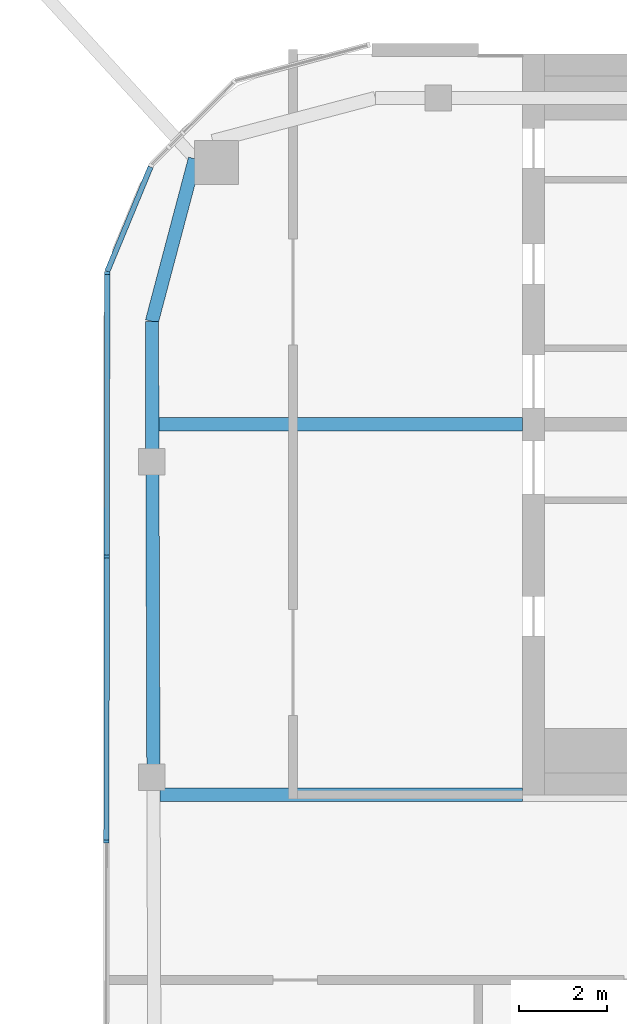
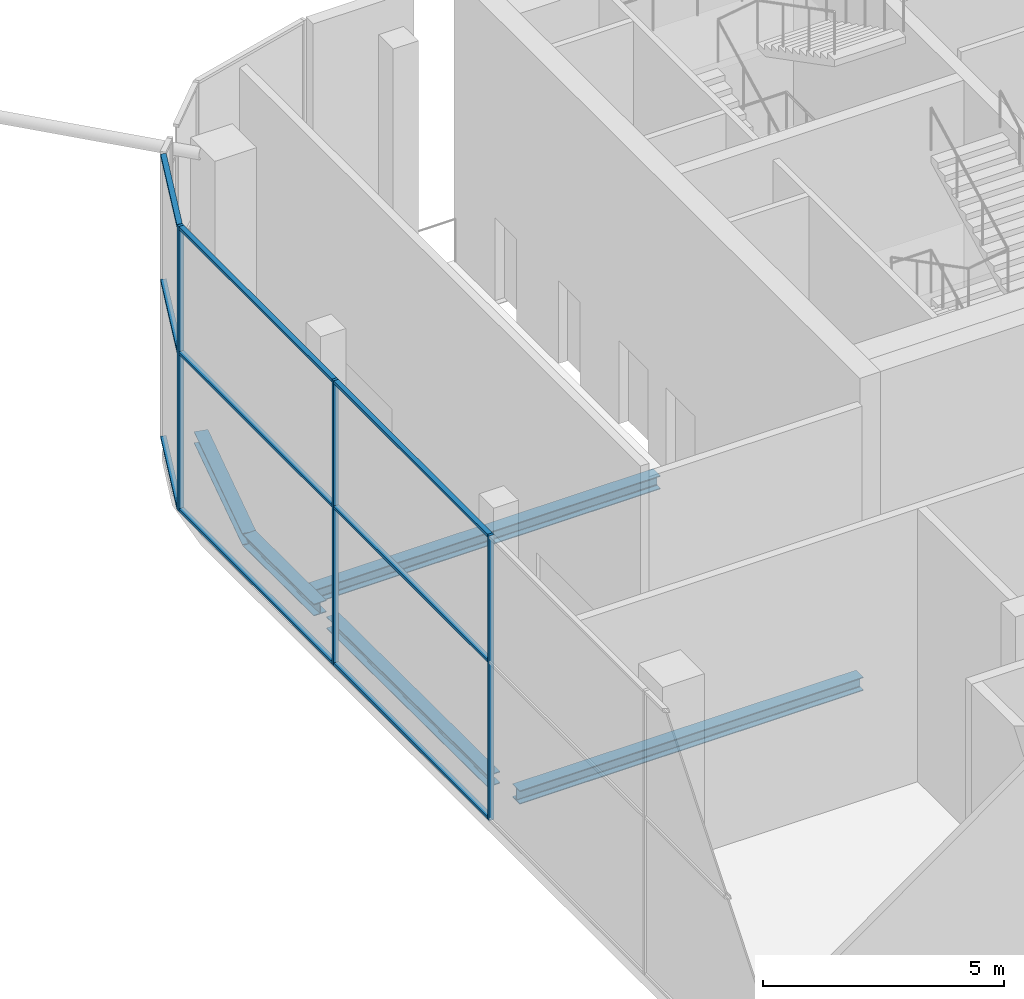
# One storey, part 8 of 23: 12 members, 5 beams, 2 elements without a shape of their own.
"""IFC4 building model written with IfcOpenShell, lengths in metres."""

from ifc_helpers import new_model, si_unit, direction, frame, origin, origin_2d, place, context, subcontext, project, spatial, rectangle, i_section, extrude, material, layer, layer_set, material_profile, profile_set, type_object, element, aggregate, save


model = new_model("IFC4")

# Units and contexts
model_context = context("Model", 3, precision=1e-05, world=origin(), true_north=direction((0.0, 1.0)))
body_context = subcontext(model_context, "Body", "Model", "MODEL_VIEW")
ifc_project = project(units=[si_unit("LENGTHUNIT", "METRE"), si_unit("AREAUNIT", "SQUARE_METRE"), si_unit("VOLUMEUNIT", "CUBIC_METRE"), si_unit("PLANEANGLEUNIT", "RADIAN"), si_unit("MASSUNIT", "GRAM", prefix="KILO")], contexts=[model_context])

# Site, building, storey
site_placement = place(None, origin())
site = spatial("IfcSite", under=ifc_project, at=site_placement, CompositionType="ELEMENT")
building_placement = place(site_placement, origin())
building = spatial("IfcBuilding", under=site, at=building_placement, Name="Marenta Gate Hotel Tower", CompositionType="ELEMENT")
storey_placement = place(building_placement, frame((0.0, 0.0, 288.5)))
storey = spatial("IfcBuildingStorey", under=building, at=storey_placement, Name="L66", CompositionType="ELEMENT", Elevation=288.5)

# Beams
ifc_material_1 = material(Name="Steel S355", Category="steel")
ifc_material_profile_1 = material_profile(ifc_material_1, i_section(OverallWidth=0.300048828125, OverallDepth=0.300048828125, WebThickness=0.010986328125, FlangeThickness=0.01904296875, FilletRadius=0.027099609375, at=origin_2d()), Name="HEB 300")
ifc_profile_set_1 = profile_set([ifc_material_profile_1], Name="Steel S355")
beam_type_1 = type_object("IfcBeamType", Name="Edge beam HEB 300", PredefinedType="SPANDREL", material=ifc_profile_set_1)
beam_1_placement = place(storey_placement, frame((-19.966552734375, 0.6630859375, -0.409912109375), z_axis=(-0.003312458824, 0.999994513793, 0.0), x_axis=(-0.999994513793, -0.003312458824, 0.0)))
element("IfcBeam", 1, at=beam_1_placement, inside=storey, type_object=beam_type_1, Name="L66-EB-9", PredefinedType="SPANDREL", context=body_context, shape_type="SweptSolid", body=[
    extrude(i_section(OverallWidth=0.300048828125, OverallDepth=0.300048828125, WebThickness=0.010986328125, FlangeThickness=0.01904296875, FilletRadius=0.027099609375, at=origin_2d()), origin(), (0.0, 0.0, 1.0), 6.63330078125),
])
beam_2_placement = place(storey_placement, frame((-19.990234375, 7.81640625, -0.409912109375), z_axis=(-0.003346701472, 0.999994399779, 0.0), x_axis=(-0.999994399779, -0.003346701472, 0.0)))
element("IfcBeam", 2, at=beam_2_placement, inside=storey, type_object=beam_type_1, Name="L66-EB-10", PredefinedType="SPANDREL", context=body_context, shape_type="SweptSolid", body=[
    extrude(i_section(OverallWidth=0.300048828125, OverallDepth=0.300048828125, WebThickness=0.010986328125, FlangeThickness=0.01904296875, FilletRadius=0.027099609375, at=origin_2d()), origin(), (0.0, 0.0, 1.0), 2.91796875),
])
beam_3_placement = place(storey_placement, frame((-20.0, 10.734375, -0.409912109375), z_axis=(0.25562150813, 0.96677693631, 0.0), x_axis=(-0.96677693631, 0.25562150813, 0.0)))
element("IfcBeam", 3, at=beam_3_placement, inside=storey, type_object=beam_type_1, Name="L66-EB-11", PredefinedType="SPANDREL", context=body_context, shape_type="SweptSolid", body=[
    extrude(i_section(OverallWidth=0.300048828125, OverallDepth=0.300048828125, WebThickness=0.010986328125, FlangeThickness=0.01904296875, FilletRadius=0.027099609375, at=origin_2d()), origin(), (0.0, 0.0, 1.0), 3.812744140625),
])
ifc_material_2 = material(Name="Steel S355", Category="steel")
ifc_material_profile_2 = material_profile(ifc_material_2, i_section(OverallWidth=0.300048828125, OverallDepth=0.340087890625, WebThickness=0.011962890625, FlangeThickness=0.021484375, FilletRadius=0.027099609375, at=origin_2d()), Name="HEB 340")
ifc_profile_set_2 = profile_set([ifc_material_profile_2], Name="Steel S355")
beam_type_2 = type_object("IfcBeamType", Name="Girder HEB 340", PredefinedType="BEAM", material=ifc_profile_set_2)
beam_4_placement = place(storey_placement, frame((-19.814208984375, 0.0, -0.429931640625), z_axis=(1.0, 0.0, 0.0), x_axis=(0.0, 1.0, 0.0)))
element("IfcBeam", 4, at=beam_4_placement, inside=storey, type_object=beam_type_2, Name="L66-GD-16", PredefinedType="BEAM", context=body_context, shape_type="SweptSolid", body=[
    extrude(i_section(OverallWidth=0.300048828125, OverallDepth=0.340087890625, WebThickness=0.011962890625, FlangeThickness=0.021484375, FilletRadius=0.027099609375, at=origin_2d()), origin(), (0.0, 0.0, 1.0), 8.214111328125),
])
beam_5_placement = place(storey_placement, frame((-19.84228515625, 8.39990234375, -0.429931640625), z_axis=(1.0, 0.0, 0.0), x_axis=(0.0, 1.0, 0.0)))
element("IfcBeam", 5, at=beam_5_placement, inside=storey, type_object=beam_type_2, Name="L66-GD-19", PredefinedType="BEAM", context=body_context, shape_type="SweptSolid", body=[
    extrude(i_section(OverallWidth=0.300048828125, OverallDepth=0.340087890625, WebThickness=0.011962890625, FlangeThickness=0.021484375, FilletRadius=0.027099609375, at=origin_2d()), origin(), (0.0, 0.0, 1.0), 8.2421875),
])

# Curtain wall, members
ifc_material_3 = material(Name="Tinted insulated glass in bronze anodised frame", Category="glass")
ifc_layer = layer(ifc_material_3, 0.1201171875)
ifc_layer_set = layer_set([ifc_layer], Name="Tinted insulated glass in bronze anodised frame")
curtain_wall_type = type_object("IfcCurtainWallType", Name="Sky restaurant glazing CW4", PredefinedType="NOTDEFINED", material=ifc_layer_set)
curtain_wall_1_placement = place(storey_placement, origin())
curtain_wall_1 = element("IfcCurtainWall", 6, at=curtain_wall_1_placement, inside=storey, type_object=curtain_wall_type, Name="CW4 run G05", PredefinedType="NOTDEFINED")
ifc_material_4 = material(Name="Bronze anodised aluminium", Category="aluminium")
ifc_material_profile_3 = material_profile(ifc_material_4, rectangle(XDim=0.1201171875, YDim=0.070068359375, at=origin_2d()), Name="Mullion CW4 70x120 bronze anodised aluminium")
ifc_profile_set_3 = profile_set([ifc_material_profile_3], Name="Bronze anodised aluminium")
member_type_1 = type_object("IfcMemberType", Name="Mullion CW4 70x120 bronze anodised aluminium", PredefinedType="MULLION", material=ifc_profile_set_3)
member_1_placement = place(storey_placement, frame((-21.012451171875, 11.831298828125, 0.0), z_axis=(0.0, 0.0, 1.0), x_axis=(0.99999877375, -0.001566045546, 0.0)))
member_1 = element("IfcMember", 7, at=member_1_placement, type_object=member_type_1, Name="CW4 mullion 1", PredefinedType="MULLION", context=body_context, shape_type="SweptSolid", body=[
    extrude(rectangle(XDim=0.1201171875, YDim=0.070068359375, at=origin_2d()), origin(), (0.0, 0.0, 1.0), 7.199951171875),
])
member_2_placement = place(storey_placement, frame((-21.0224609375, 5.40625, 0.0), z_axis=(0.0, 0.0, 1.0), x_axis=(0.99999877375, -0.001566045546, 0.0)))
member_2 = element("IfcMember", 8, at=member_2_placement, type_object=member_type_1, Name="CW4 mullion 2", PredefinedType="MULLION", context=body_context, shape_type="SweptSolid", body=[
    extrude(rectangle(XDim=0.1201171875, YDim=0.070068359375, at=origin_2d()), origin(), (0.0, 0.0, 1.0), 7.199951171875),
])
member_3_placement = place(storey_placement, frame((-21.032470703125, -1.0537109375, 0.0), z_axis=(0.0, 0.0, 1.0), x_axis=(0.99999877375, -0.001566045546, 0.0)))
member_3 = element("IfcMember", 9, at=member_3_placement, type_object=member_type_1, Name="CW4 mullion 3", PredefinedType="MULLION", context=body_context, shape_type="SweptSolid", body=[
    extrude(rectangle(XDim=0.1201171875, YDim=0.070068359375, at=origin_2d()), origin(), (0.0, 0.0, 1.0), 7.199951171875),
])

curtain_wall_2_placement = place(storey_placement, origin())
curtain_wall_2 = element("IfcCurtainWall", 10, at=curtain_wall_2_placement, inside=storey, type_object=curtain_wall_type, Name="CW4 run G04", PredefinedType="NOTDEFINED")
ifc_material_5 = material(Name="Bronze anodised aluminium", Category="aluminium")
ifc_material_profile_4 = material_profile(ifc_material_5, rectangle(XDim=0.1201171875, YDim=0.070068359375, at=origin_2d()), Name="Transom CW4 70x120 bronze anodised aluminium")
ifc_profile_set_4 = profile_set([ifc_material_profile_4], Name="Bronze anodised aluminium")
member_type_2 = type_object("IfcMemberType", Name="Transom CW4 70x120 bronze anodised aluminium", PredefinedType="USERDEFINED", material=ifc_profile_set_4)
member_4_placement = place(storey_placement, frame((-20.030517578125, 14.236572265625, 0.034912109375), z_axis=(-0.382634740284, -0.923899699929, 0.0), x_axis=(0.923899699929, -0.382634740284, 0.0)))
member_4 = element("IfcMember", 11, at=member_4_placement, type_object=member_type_2, Name="CW4 transom 1.1", ObjectType="TRANSOM", PredefinedType="USERDEFINED", context=body_context, shape_type="SweptSolid", body=[
    extrude(rectangle(XDim=0.1201171875, YDim=0.070068359375, at=origin_2d()), origin(), (0.0, 0.0, 1.0), 2.565673828125),
])
member_5_placement = place(storey_placement, frame((-20.030517578125, 14.236572265625, 4.0), z_axis=(-0.382634740284, -0.923899699929, 0.0), x_axis=(0.923899699929, -0.382634740284, 0.0)))
member_5 = element("IfcMember", 12, at=member_5_placement, type_object=member_type_2, Name="CW4 transom 1.2", ObjectType="TRANSOM", PredefinedType="USERDEFINED", context=body_context, shape_type="SweptSolid", body=[
    extrude(rectangle(XDim=0.1201171875, YDim=0.070068359375, at=origin_2d()), origin(), (0.0, 0.0, 1.0), 2.565673828125),
])
member_6_placement = place(storey_placement, frame((-20.030517578125, 14.236572265625, 7.1650390625), z_axis=(-0.382634740284, -0.923899699929, 0.0), x_axis=(0.923899699929, -0.382634740284, 0.0)))
member_6 = element("IfcMember", 13, at=member_6_placement, type_object=member_type_2, Name="CW4 transom 1.3", ObjectType="TRANSOM", PredefinedType="USERDEFINED", context=body_context, shape_type="SweptSolid", body=[
    extrude(rectangle(XDim=0.1201171875, YDim=0.070068359375, at=origin_2d()), origin(), (0.0, 0.0, 1.0), 2.565673828125),
])
aggregate(curtain_wall_2, [member_4, member_5, member_6])

# Member
member_7_placement = place(storey_placement, frame((-21.012451171875, 11.796142578125, 0.034912109375), z_axis=(-0.001575103693, -0.999998759523, 0.0), x_axis=(0.999998759523, -0.001575103693, 0.0)))
member_7 = element("IfcMember", 14, at=member_7_placement, type_object=member_type_2, Name="CW4 transom 1.1", ObjectType="TRANSOM", PredefinedType="USERDEFINED", context=body_context, shape_type="SweptSolid", body=[
    extrude(rectangle(XDim=0.1201171875, YDim=0.070068359375, at=origin_2d()), origin(), (0.0, 0.0, 1.0), 6.35498046875),
])

member_8_placement = place(storey_placement, frame((-21.012451171875, 11.796142578125, 4.0), z_axis=(-0.001575103693, -0.999998759523, 0.0), x_axis=(0.999998759523, -0.001575103693, 0.0)))
member_8 = element("IfcMember", 15, at=member_8_placement, type_object=member_type_2, Name="CW4 transom 1.2", ObjectType="TRANSOM", PredefinedType="USERDEFINED", context=body_context, shape_type="SweptSolid", body=[
    extrude(rectangle(XDim=0.1201171875, YDim=0.070068359375, at=origin_2d()), origin(), (0.0, 0.0, 1.0), 6.35498046875),
])

member_9_placement = place(storey_placement, frame((-21.012451171875, 11.796142578125, 7.1650390625), z_axis=(-0.001575103693, -0.999998759523, 0.0), x_axis=(0.999998759523, -0.001575103693, 0.0)))
member_9 = element("IfcMember", 16, at=member_9_placement, type_object=member_type_2, Name="CW4 transom 1.3", ObjectType="TRANSOM", PredefinedType="USERDEFINED", context=body_context, shape_type="SweptSolid", body=[
    extrude(rectangle(XDim=0.1201171875, YDim=0.070068359375, at=origin_2d()), origin(), (0.0, 0.0, 1.0), 6.35498046875),
])

member_10_placement = place(storey_placement, frame((-21.0224609375, 5.37109375, 0.034912109375), z_axis=(-0.001566497906, -0.999998773041, 0.0), x_axis=(0.999998773041, -0.001566497906, 0.0)))
member_10 = element("IfcMember", 17, at=member_10_placement, type_object=member_type_2, Name="CW4 transom 2.1", ObjectType="TRANSOM", PredefinedType="USERDEFINED", context=body_context, shape_type="SweptSolid", body=[
    extrude(rectangle(XDim=0.1201171875, YDim=0.070068359375, at=origin_2d()), origin(), (0.0, 0.0, 1.0), 6.389892578125),
])

member_11_placement = place(storey_placement, frame((-21.0224609375, 5.37109375, 4.0), z_axis=(-0.001566497906, -0.999998773041, 0.0), x_axis=(0.999998773041, -0.001566497906, 0.0)))
member_11 = element("IfcMember", 18, at=member_11_placement, type_object=member_type_2, Name="CW4 transom 2.2", ObjectType="TRANSOM", PredefinedType="USERDEFINED", context=body_context, shape_type="SweptSolid", body=[
    extrude(rectangle(XDim=0.1201171875, YDim=0.070068359375, at=origin_2d()), origin(), (0.0, 0.0, 1.0), 6.389892578125),
])

member_12_placement = place(storey_placement, frame((-21.0224609375, 5.37109375, 7.1650390625), z_axis=(-0.001566497906, -0.999998773041, 0.0), x_axis=(0.999998773041, -0.001566497906, 0.0)))
member_12 = element("IfcMember", 19, at=member_12_placement, type_object=member_type_2, Name="CW4 transom 2.3", ObjectType="TRANSOM", PredefinedType="USERDEFINED", context=body_context, shape_type="SweptSolid", body=[
    extrude(rectangle(XDim=0.1201171875, YDim=0.070068359375, at=origin_2d()), origin(), (0.0, 0.0, 1.0), 6.389892578125),
])

aggregate(curtain_wall_1, [member_1, member_2, member_3, member_7, member_8, member_9, member_10, member_11, member_12])

save(model, "model.ifc")
